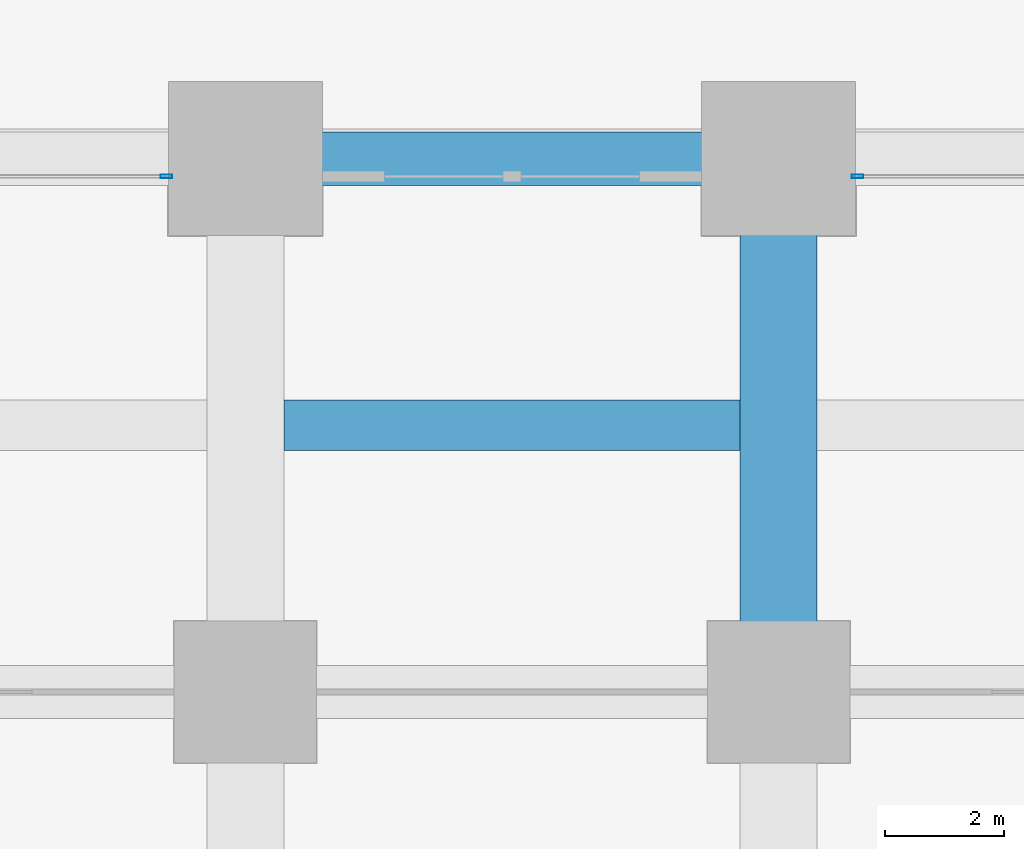
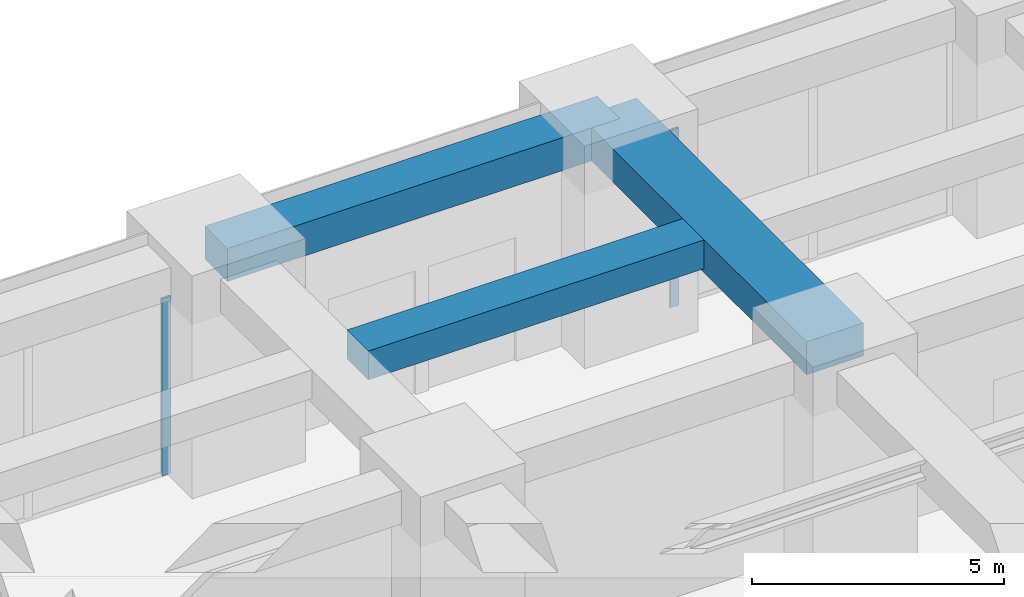
# One storey, part 26 of 56: 3 beams, 2 members, 2 elements without a shape of their own.
"""IFC4 building model written with IfcOpenShell, lengths in metres."""

from ifc_helpers import new_model, si_unit, direction, frame, origin, origin_2d, place, context, subcontext, project, spatial, rectangle, hollow_rectangle, extrude, material, material_profile, profile_set, type_object, element, aggregate, save


model = new_model("IFC4")

# Units and contexts
model_context = context("Model", 3, precision=1e-05, world=origin(), true_north=direction((0.0, 1.0)))
body_context = subcontext(model_context, "Body", "Model", "MODEL_VIEW")
ifc_project = project(units=[si_unit("LENGTHUNIT", "METRE"), si_unit("AREAUNIT", "SQUARE_METRE"), si_unit("VOLUMEUNIT", "CUBIC_METRE"), si_unit("PLANEANGLEUNIT", "RADIAN"), si_unit("MASSUNIT", "GRAM", prefix="KILO")], contexts=[model_context])

# Site, building, storey
site_placement = place(None, origin())
site = spatial("IfcSite", under=ifc_project, at=site_placement, CompositionType="ELEMENT")
building_placement = place(site_placement, origin())
building = spatial("IfcBuilding", under=site, at=building_placement, Name="Zorevar Civic Tower", CompositionType="ELEMENT")
storey_placement = place(building_placement, origin())
storey = spatial("IfcBuildingStorey", under=building, at=storey_placement, Name="L00", CompositionType="ELEMENT", Elevation=0.0)

# Beams
ifc_material_1 = material(Name="Concrete C50/60", Category="concrete")
ifc_material_profile_1 = material_profile(ifc_material_1, rectangle(XDim=1.300048828125, YDim=0.800048828125, at=origin_2d()), Name="RC 1300x800")
ifc_profile_set_1 = profile_set([ifc_material_profile_1], Name="Concrete C50/60")
beam_type_1 = type_object("IfcBeamType", Name="Beam RC 1300x800", PredefinedType="BEAM", material=ifc_profile_set_1)
beam_1_placement = place(storey_placement, frame((36.0, 45.0, 4.699951171875), z_axis=(0.0, 1.0, 0.0), x_axis=(-1.0, 0.0, 0.0)))
element("IfcBeam", 1, at=beam_1_placement, inside=storey, type_object=beam_type_1, Name="Girder L01", PredefinedType="BEAM", context=body_context, shape_type="SweptSolid", body=[
    extrude(rectangle(XDim=1.300048828125, YDim=0.800048828125, at=origin_2d()), origin(), (0.0, 0.0, 1.0), 9.0),
])
ifc_material_2 = material(Name="Concrete C50/60", Category="concrete")
ifc_material_profile_2 = material_profile(ifc_material_2, rectangle(XDim=0.85009765625, YDim=0.699951171875, at=origin_2d()), Name="RC 850x700")
ifc_profile_set_2 = profile_set([ifc_material_profile_2], Name="Concrete C50/60")
beam_type_2 = type_object("IfcBeamType", Name="Beam RC 850x700", PredefinedType="BEAM", material=ifc_profile_set_2)
beam_2_placement = place(storey_placement, frame((27.64990234375, 49.5, 4.75), z_axis=(1.0, 0.0, 0.0), x_axis=(0.0, 1.0, 0.0)))
element("IfcBeam", 2, at=beam_2_placement, inside=storey, type_object=beam_type_2, Name="Secondary beam L01", PredefinedType="BEAM", context=body_context, shape_type="SweptSolid", body=[
    extrude(rectangle(XDim=0.85009765625, YDim=0.699951171875, at=origin_2d()), origin(), (0.0, 0.0, 1.0), 7.7001953125),
])

# Curtain wall, member
ifc_material_3 = material(Name="Dark grey solar-control glass in black aluminium frame", Category="aluminium")
curtain_wall_type = type_object("IfcCurtainWallType", Name="Curtain wall CW1 podium", PredefinedType="NOTDEFINED", material=ifc_material_3)
curtain_wall_1_placement = place(storey_placement, origin())
curtain_wall_1 = element("IfcCurtainWall", 3, at=curtain_wall_1_placement, inside=storey, type_object=curtain_wall_type, Name="CW1 L00", PredefinedType="NOTDEFINED")
ifc_material_4 = material(Name="Aluminium, black anodised", Category="aluminium")
ifc_material_profile_3 = material_profile(ifc_material_4, hollow_rectangle(XDim=0.06005859375, YDim=0.199951171875, WallThickness=0.00390625, at=origin_2d()), Name="AL 200x60x4")
ifc_profile_set_3 = profile_set([ifc_material_profile_3], Name="Aluminium, black anodised")
member_type = type_object("IfcMemberType", Name="CW1 mullion AL 200x60x4", PredefinedType="MULLION", material=ifc_profile_set_3)
member_1_placement = place(storey_placement, frame((25.669921875, 53.699951171875, 0.0), z_axis=(0.0, 0.0, 1.0), x_axis=(0.0, 1.0, 0.0)))
member_1 = element("IfcMember", 4, at=member_1_placement, type_object=member_type, Name="CW1 mullion 3", PredefinedType="MULLION", context=body_context, shape_type="SweptSolid", body=[
    extrude(hollow_rectangle(XDim=0.06005859375, YDim=0.199951171875, WallThickness=0.00390625, at=origin_2d()), origin(), (0.0, 0.0, 1.0), 4.300048828125),
])
aggregate(curtain_wall_1, [member_1])

curtain_wall_2_placement = place(storey_placement, origin())
curtain_wall_2 = element("IfcCurtainWall", 5, at=curtain_wall_2_placement, inside=storey, type_object=curtain_wall_type, Name="CW1 L00", PredefinedType="NOTDEFINED")
member_2_placement = place(storey_placement, frame((37.330078125, 53.699951171875, 0.0), z_axis=(0.0, 0.0, 1.0), x_axis=(0.0, 1.0, 0.0)))
member_2 = element("IfcMember", 6, at=member_2_placement, type_object=member_type, Name="CW1 mullion 1", PredefinedType="MULLION", context=body_context, shape_type="SweptSolid", body=[
    extrude(hollow_rectangle(XDim=0.06005859375, YDim=0.199951171875, WallThickness=0.00390625, at=origin_2d()), origin(), (0.0, 0.0, 1.0), 4.300048828125),
])
aggregate(curtain_wall_2, [member_2])

# Beam
ifc_material_5 = material(Name="Concrete C50/60", Category="concrete")
ifc_material_profile_4 = material_profile(ifc_material_5, rectangle(XDim=0.89990234375, YDim=0.800048828125, at=origin_2d()), Name="RC 900x800")
ifc_profile_set_4 = profile_set([ifc_material_profile_4], Name="Concrete C50/60")
beam_type_3 = type_object("IfcBeamType", Name="Edge beam RC 900x800", PredefinedType="SPANDREL", material=ifc_profile_set_4)
beam_3_placement = place(storey_placement, frame((27.0, 54.0, 4.699951171875), z_axis=(1.0, 0.0, 0.0), x_axis=(0.0, 1.0, 0.0)))
element("IfcBeam", 7, at=beam_3_placement, inside=storey, type_object=beam_type_3, Name="Edge beam L01", PredefinedType="SPANDREL", context=body_context, shape_type="SweptSolid", body=[
    extrude(rectangle(XDim=0.89990234375, YDim=0.800048828125, at=origin_2d()), origin(), (0.0, 0.0, 1.0), 9.0),
])

save(model, "model.ifc")
